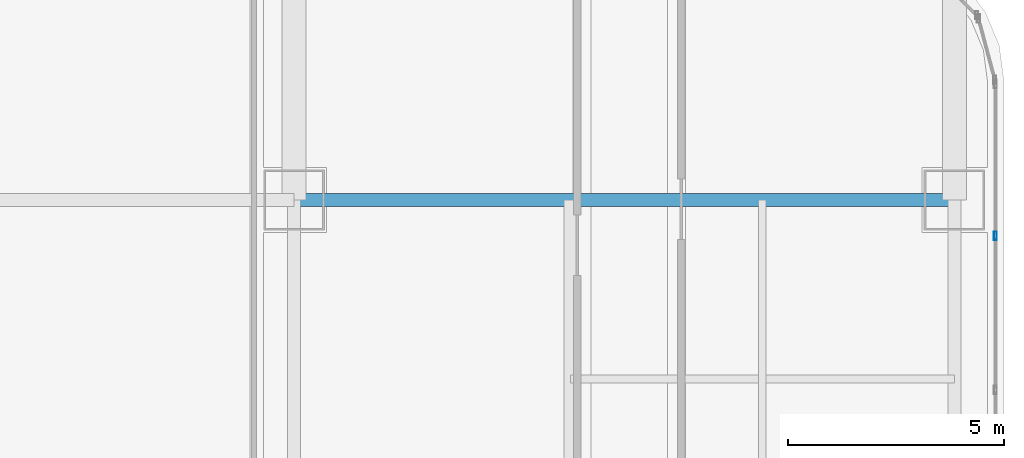
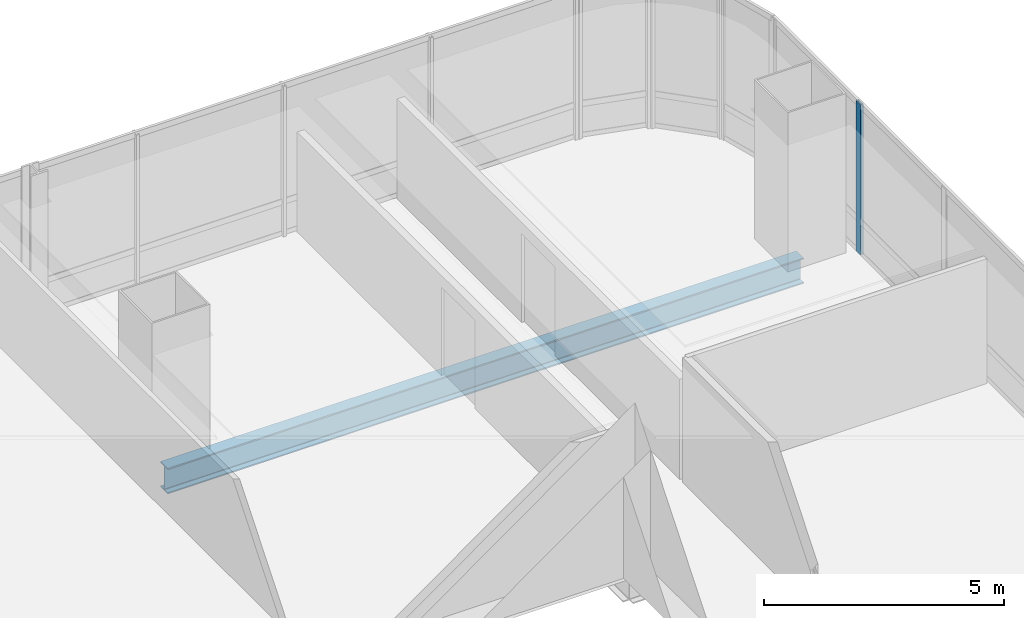
# One storey, part 26 of 38: 1 beam, 1 member, 1 element without a shape of its own.
"""IFC4 building model written with IfcOpenShell, lengths in metres."""

from ifc_helpers import new_model, si_unit, direction, frame, origin, origin_2d, place, context, subcontext, project, spatial, hollow_rectangle, i_section, extrude, material, material_profile, profile_set, type_object, element, aggregate, save


model = new_model("IFC4")

# Units and contexts
model_context = context("Model", 3, precision=1e-05, world=origin(), true_north=direction((0.0, 1.0)))
body_context = subcontext(model_context, "Body", "Model", "MODEL_VIEW")
ifc_project = project(units=[si_unit("LENGTHUNIT", "METRE"), si_unit("AREAUNIT", "SQUARE_METRE"), si_unit("VOLUMEUNIT", "CUBIC_METRE"), si_unit("PLANEANGLEUNIT", "RADIAN"), si_unit("MASSUNIT", "GRAM", prefix="KILO")], contexts=[model_context])

# Site, building, storey
site_placement = place(None, origin())
site = spatial("IfcSite", under=ifc_project, at=site_placement, CompositionType="ELEMENT")
building_placement = place(site_placement, origin())
building = spatial("IfcBuilding", under=site, at=building_placement, Name="Punatoya Terracotta Tower", CompositionType="ELEMENT")
storey_placement = place(building_placement, frame((0.0, 0.0, 160.050048828125)))
storey = spatial("IfcBuildingStorey", under=building, at=storey_placement, Name="L37", CompositionType="ELEMENT", Elevation=160.050048828125)

# Beam
ifc_material_1 = material(Name="Steel S355", Category="steel")
ifc_material_profile_1 = material_profile(ifc_material_1, i_section(OverallWidth=0.300048828125, OverallDepth=0.64990234375, WebThickness=0.01611328125, FlangeThickness=0.031005859375, FilletRadius=0.01806640625, at=origin_2d()))
ifc_profile_set_1 = profile_set([ifc_material_profile_1], Name="Steel S355")
beam_type = type_object("IfcBeamType", Name="BM-PRI-650", PredefinedType="BEAM", material=ifc_profile_set_1)
beam_placement = place(storey_placement, frame((3.800048828125, 17.5, -0.545166015625), z_axis=(1.0, 0.0, 0.0), x_axis=(0.0, 1.0, 0.0)))
element("IfcBeam", 1, at=beam_placement, inside=storey, type_object=beam_type, Name="BM-L37-RG-N3", PredefinedType="BEAM", context=body_context, shape_type="SweptSolid", body=[
    extrude(i_section(OverallWidth=0.300048828125, OverallDepth=0.64990234375, WebThickness=0.01611328125, FlangeThickness=0.031005859375, FilletRadius=0.01806640625, at=origin_2d()), origin(), (0.0, 0.0, 1.0), 15.300048828125),
])

# Curtain wall, member
ifc_material_2 = material(Name="Aluminium 6063-T6 + Double Low-E Glass", Category="aluminium")
curtain_wall_type = type_object("IfcCurtainWallType", Name="CW-M2", PredefinedType="NOTDEFINED", material=ifc_material_2)
curtain_wall_placement = place(storey_placement, origin())
curtain_wall = element("IfcCurtainWall", 2, at=curtain_wall_placement, inside=storey, type_object=curtain_wall_type, Name="L37 Curtain Wall CW-L37-E05-1", PredefinedType="NOTDEFINED")
ifc_material_3 = material(Name="Aluminium 6063-T6", Category="aluminium")
ifc_material_profile_2 = material_profile(ifc_material_3, hollow_rectangle(XDim=0.072021484375, YDim=0.195068359375, WallThickness=0.00439453125, at=origin_2d()))
ifc_profile_set_2 = profile_set([ifc_material_profile_2], Name="Aluminium 6063-T6")
member_type = type_object("IfcMemberType", Name="CW-MUL-M2", PredefinedType="MULLION", material=ifc_profile_set_2)
member_placement = place(storey_placement, frame((20.050048828125, 16.66943359375, 0.0), z_axis=(0.0, 0.0, 1.0), x_axis=(1.0, 0.0, 0.0)))
member = element("IfcMember", 3, at=member_placement, type_object=member_type, Name="CW-L37-E05-1 Mullion 09", PredefinedType="MULLION", context=body_context, shape_type="SweptSolid", body=[
    extrude(hollow_rectangle(XDim=0.072021484375, YDim=0.195068359375, WallThickness=0.00439453125, at=origin_2d()), origin(), (0.0, 0.0, 1.0), 3.829833984375),
])
aggregate(curtain_wall, [member])

save(model, "model.ifc")
